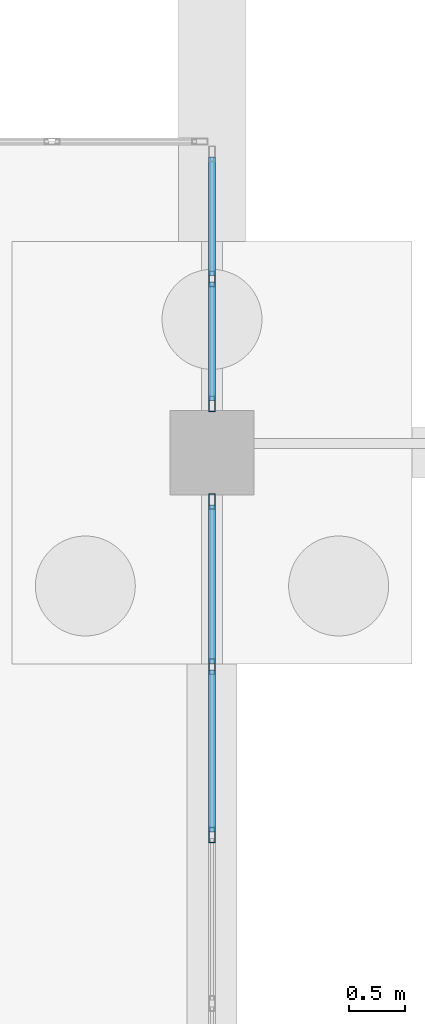
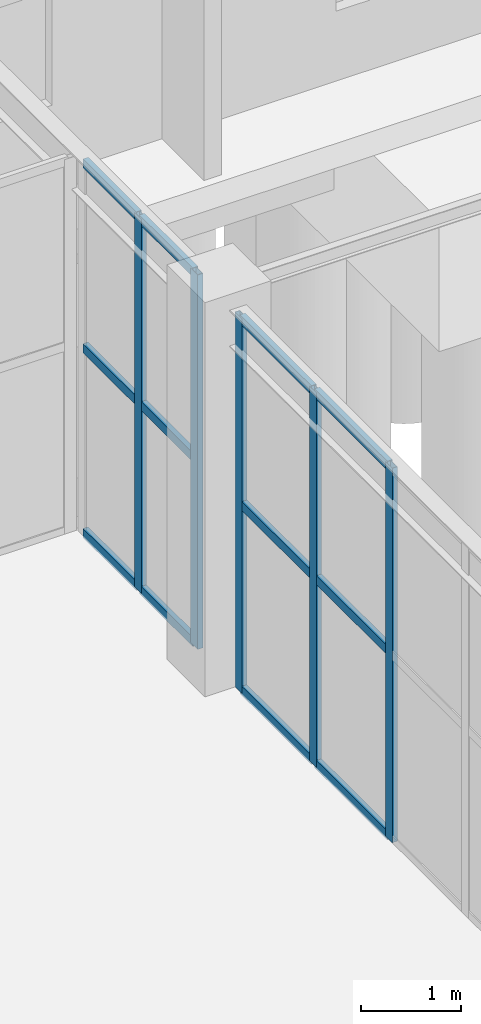
# One storey, part 100 of 192: 17 members, 2 elements without a shape of their own.
"""IFC4 building model written with IfcOpenShell, lengths in metres."""

from ifc_helpers import new_model, si_unit, direction, frame, origin, origin_2d, place, context, subcontext, project, spatial, hollow_rectangle, extrude, material, layer, layer_set, material_profile, profile_set, type_object, element, aggregate, save


model = new_model("IFC4")

# Units and contexts
model_context = context("Model", 3, precision=1e-05, world=origin(), true_north=direction((0.0, 1.0)))
body_context = subcontext(model_context, "Body", "Model", "MODEL_VIEW")
ifc_project = project(units=[si_unit("LENGTHUNIT", "METRE"), si_unit("AREAUNIT", "SQUARE_METRE"), si_unit("VOLUMEUNIT", "CUBIC_METRE"), si_unit("PLANEANGLEUNIT", "RADIAN"), si_unit("MASSUNIT", "GRAM", prefix="KILO")], contexts=[model_context])

# Site, building, storey
site_placement = place(None, origin())
site = spatial("IfcSite", under=ifc_project, at=site_placement, CompositionType="ELEMENT")
building_placement = place(site_placement, origin())
building = spatial("IfcBuilding", under=site, at=building_placement, Name="Trelvath General Hospital", CompositionType="ELEMENT")
storey_placement = place(building_placement, origin())
storey = spatial("IfcBuildingStorey", under=building, at=storey_placement, Name="L00", CompositionType="ELEMENT", Elevation=0.0)

# Curtain wall, members
ifc_material_1 = material(Name="Anodised aluminium and low-E glass", Category="aluminium")
ifc_layer_1 = layer(ifc_material_1, 0.139892578125)
ifc_layer_set_1 = layer_set([ifc_layer_1], Name="Anodised aluminium and low-E glass")
curtain_wall_type_1 = type_object("IfcCurtainWallType", Name="CW CrystalCube 758 456 14", PredefinedType="USERDEFINED", material=ifc_layer_set_1)
curtain_wall_1_placement = place(storey_placement, origin())
curtain_wall_1 = element("IfcCurtainWall", 1, at=curtain_wall_1_placement, inside=storey, type_object=curtain_wall_type_1, Name="Crystal Cube Curtain Wall CUBE-W-T0 E6 L00", ObjectType="Unitised Glazed Curtain Wall", PredefinedType="USERDEFINED")
ifc_material_2 = material(Name="Anodised aluminium", Category="aluminium")
ifc_material_profile_1 = material_profile(ifc_material_2, hollow_rectangle(XDim=0.06005859375, YDim=0.139892578125, WallThickness=0.00390625, at=origin_2d()), Name="RHS60x140x4")
ifc_profile_set_1 = profile_set([ifc_material_profile_1], Name="Anodised aluminium")
member_type_1 = type_object("IfcMemberType", Name="CurtainMullion 60x140", PredefinedType="MULLION", material=ifc_profile_set_1)
member_1_placement = place(storey_placement, frame((75.60009765625, 83.56005859375, 0.0), z_axis=(0.0, 0.0, 1.0), x_axis=(1.0, 0.0, 0.0)))
member_1 = element("IfcMember", 2, at=member_1_placement, type_object=member_type_1, Name="CW-103 mullion 1", PredefinedType="MULLION", context=body_context, shape_type="SweptSolid", body=[
    extrude(hollow_rectangle(XDim=0.06005859375, YDim=0.139892578125, WallThickness=0.00390625, at=origin_2d()), origin(), (0.0, 0.0, 1.0), 4.56005859375),
])
member_2_placement = place(storey_placement, frame((75.60009765625, 82.073974609375, 0.0), z_axis=(0.0, 0.0, 1.0), x_axis=(1.0, 0.0, 0.0)))
member_2 = element("IfcMember", 3, at=member_2_placement, type_object=member_type_1, Name="CW-103 mullion 2", PredefinedType="MULLION", context=body_context, shape_type="SweptSolid", body=[
    extrude(hollow_rectangle(XDim=0.06005859375, YDim=0.139892578125, WallThickness=0.00390625, at=origin_2d()), origin(), (0.0, 0.0, 1.0), 4.56005859375),
])
member_3_placement = place(storey_placement, frame((75.60009765625, 80.55810546875, 0.0), z_axis=(0.0, 0.0, 1.0), x_axis=(1.0, 0.0, 0.0)))
member_3 = element("IfcMember", 4, at=member_3_placement, type_object=member_type_1, Name="CW-103 mullion 3", PredefinedType="MULLION", context=body_context, shape_type="SweptSolid", body=[
    extrude(hollow_rectangle(XDim=0.06005859375, YDim=0.139892578125, WallThickness=0.00390625, at=origin_2d()), origin(), (0.0, 0.0, 1.0), 4.56005859375),
])

ifc_material_3 = material(Name="Anodised aluminium and low-E glass", Category="aluminium")
ifc_layer_2 = layer(ifc_material_3, 0.139892578125)
ifc_layer_set_2 = layer_set([ifc_layer_2], Name="Anodised aluminium and low-E glass")
curtain_wall_type_2 = type_object("IfcCurtainWallType", Name="CW CrystalCube 231 456 14", PredefinedType="USERDEFINED", material=ifc_layer_set_2)
curtain_wall_2_placement = place(storey_placement, origin())
curtain_wall_2 = element("IfcCurtainWall", 5, at=curtain_wall_2_placement, inside=storey, type_object=curtain_wall_type_2, Name="Crystal Cube Curtain Wall CUBE-W-T0 E7 L00", ObjectType="Unitised Glazed Curtain Wall", PredefinedType="USERDEFINED")
member_4_placement = place(storey_placement, frame((75.60009765625, 85.56494140625, 0.0), z_axis=(0.0, 0.0, 1.0), x_axis=(1.0, 0.0, 0.0)))
member_4 = element("IfcMember", 6, at=member_4_placement, type_object=member_type_1, Name="CW-105 mullion 2", PredefinedType="MULLION", context=body_context, shape_type="SweptSolid", body=[
    extrude(hollow_rectangle(XDim=0.06005859375, YDim=0.139892578125, WallThickness=0.00390625, at=origin_2d()), origin(), (0.0, 0.0, 1.0), 4.56005859375),
])
member_5_placement = place(storey_placement, frame((75.60009765625, 84.43994140625, 0.0), z_axis=(0.0, 0.0, 1.0), x_axis=(1.0, 0.0, 0.0)))
member_5 = element("IfcMember", 7, at=member_5_placement, type_object=member_type_1, Name="CW-105 mullion 3", PredefinedType="MULLION", context=body_context, shape_type="SweptSolid", body=[
    extrude(hollow_rectangle(XDim=0.06005859375, YDim=0.139892578125, WallThickness=0.00390625, at=origin_2d()), origin(), (0.0, 0.0, 1.0), 4.56005859375),
])

# Member
ifc_material_4 = material(Name="Anodised aluminium", Category="aluminium")
ifc_material_profile_2 = material_profile(ifc_material_4, hollow_rectangle(XDim=0.06005859375, YDim=0.110107421875, WallThickness=0.00390625, at=origin_2d()), Name="RHS60x110x4")
ifc_profile_set_2 = profile_set([ifc_material_profile_2], Name="Anodised aluminium")
member_type_2 = type_object("IfcMemberType", Name="CurtainTransom 60x110", PredefinedType="USERDEFINED", material=ifc_profile_set_2)
member_6_placement = place(storey_placement, frame((75.60009765625, 83.530029296875, 0.030029296875), z_axis=(0.0, -1.0, 0.0), x_axis=(1.0, 0.0, 0.0)))
member_6 = element("IfcMember", 8, at=member_6_placement, type_object=member_type_2, Name="CW-103 transom 1.1", ObjectType="TRANSOM", PredefinedType="USERDEFINED", context=body_context, shape_type="SweptSolid", body=[
    extrude(hollow_rectangle(XDim=0.06005859375, YDim=0.110107421875, WallThickness=0.00390625, at=origin_2d()), origin(), (0.0, 0.0, 1.0), 1.426025390625),
])

member_7_placement = place(storey_placement, frame((75.60009765625, 83.530029296875, 2.280029296875), z_axis=(0.0, -1.0, 0.0), x_axis=(1.0, 0.0, 0.0)))
member_7 = element("IfcMember", 9, at=member_7_placement, type_object=member_type_2, Name="CW-103 transom 1.2", ObjectType="TRANSOM", PredefinedType="USERDEFINED", context=body_context, shape_type="SweptSolid", body=[
    extrude(hollow_rectangle(XDim=0.06005859375, YDim=0.110107421875, WallThickness=0.00390625, at=origin_2d()), origin(), (0.0, 0.0, 1.0), 1.426025390625),
])

member_8_placement = place(storey_placement, frame((75.60009765625, 83.530029296875, 4.530029296875), z_axis=(0.0, -1.0, 0.0), x_axis=(1.0, 0.0, 0.0)))
member_8 = element("IfcMember", 10, at=member_8_placement, type_object=member_type_2, Name="CW-103 transom 1.3", ObjectType="TRANSOM", PredefinedType="USERDEFINED", context=body_context, shape_type="SweptSolid", body=[
    extrude(hollow_rectangle(XDim=0.06005859375, YDim=0.110107421875, WallThickness=0.00390625, at=origin_2d()), origin(), (0.0, 0.0, 1.0), 1.426025390625),
])

member_9_placement = place(storey_placement, frame((75.60009765625, 82.0439453125, 0.030029296875), z_axis=(0.0, -1.0, 0.0), x_axis=(1.0, 0.0, 0.0)))
member_9 = element("IfcMember", 11, at=member_9_placement, type_object=member_type_2, Name="CW-103 transom 2.1", ObjectType="TRANSOM", PredefinedType="USERDEFINED", context=body_context, shape_type="SweptSolid", body=[
    extrude(hollow_rectangle(XDim=0.06005859375, YDim=0.110107421875, WallThickness=0.00390625, at=origin_2d()), origin(), (0.0, 0.0, 1.0), 1.4560546875),
])

member_10_placement = place(storey_placement, frame((75.60009765625, 82.0439453125, 2.280029296875), z_axis=(0.0, -1.0, 0.0), x_axis=(1.0, 0.0, 0.0)))
member_10 = element("IfcMember", 12, at=member_10_placement, type_object=member_type_2, Name="CW-103 transom 2.2", ObjectType="TRANSOM", PredefinedType="USERDEFINED", context=body_context, shape_type="SweptSolid", body=[
    extrude(hollow_rectangle(XDim=0.06005859375, YDim=0.110107421875, WallThickness=0.00390625, at=origin_2d()), origin(), (0.0, 0.0, 1.0), 1.4560546875),
])

member_11_placement = place(storey_placement, frame((75.60009765625, 82.0439453125, 4.530029296875), z_axis=(0.0, -1.0, 0.0), x_axis=(1.0, 0.0, 0.0)))
member_11 = element("IfcMember", 13, at=member_11_placement, type_object=member_type_2, Name="CW-103 transom 2.3", ObjectType="TRANSOM", PredefinedType="USERDEFINED", context=body_context, shape_type="SweptSolid", body=[
    extrude(hollow_rectangle(XDim=0.06005859375, YDim=0.110107421875, WallThickness=0.00390625, at=origin_2d()), origin(), (0.0, 0.0, 1.0), 1.4560546875),
])

aggregate(curtain_wall_1, [member_1, member_2, member_3, member_6, member_7, member_8, member_9, member_10, member_11])

member_12_placement = place(storey_placement, frame((75.60009765625, 86.659912109375, 0.030029296875), z_axis=(0.0, -1.0, 0.0), x_axis=(1.0, 0.0, 0.0)))
member_12 = element("IfcMember", 14, at=member_12_placement, type_object=member_type_2, Name="CW-105 transom 1.1", ObjectType="TRANSOM", PredefinedType="USERDEFINED", context=body_context, shape_type="SweptSolid", body=[
    extrude(hollow_rectangle(XDim=0.06005859375, YDim=0.110107421875, WallThickness=0.00390625, at=origin_2d()), origin(), (0.0, 0.0, 1.0), 1.06494140625),
])

member_13_placement = place(storey_placement, frame((75.60009765625, 86.659912109375, 2.280029296875), z_axis=(0.0, -1.0, 0.0), x_axis=(1.0, 0.0, 0.0)))
member_13 = element("IfcMember", 15, at=member_13_placement, type_object=member_type_2, Name="CW-105 transom 1.2", ObjectType="TRANSOM", PredefinedType="USERDEFINED", context=body_context, shape_type="SweptSolid", body=[
    extrude(hollow_rectangle(XDim=0.06005859375, YDim=0.110107421875, WallThickness=0.00390625, at=origin_2d()), origin(), (0.0, 0.0, 1.0), 1.06494140625),
])

member_14_placement = place(storey_placement, frame((75.60009765625, 86.659912109375, 4.530029296875), z_axis=(0.0, -1.0, 0.0), x_axis=(1.0, 0.0, 0.0)))
member_14 = element("IfcMember", 16, at=member_14_placement, type_object=member_type_2, Name="CW-105 transom 1.3", ObjectType="TRANSOM", PredefinedType="USERDEFINED", context=body_context, shape_type="SweptSolid", body=[
    extrude(hollow_rectangle(XDim=0.06005859375, YDim=0.110107421875, WallThickness=0.00390625, at=origin_2d()), origin(), (0.0, 0.0, 1.0), 1.06494140625),
])

member_15_placement = place(storey_placement, frame((75.60009765625, 85.534912109375, 0.030029296875), z_axis=(0.0, -1.0, 0.0), x_axis=(1.0, 0.0, 0.0)))
member_15 = element("IfcMember", 17, at=member_15_placement, type_object=member_type_2, Name="CW-105 transom 2.1", ObjectType="TRANSOM", PredefinedType="USERDEFINED", context=body_context, shape_type="SweptSolid", body=[
    extrude(hollow_rectangle(XDim=0.06005859375, YDim=0.110107421875, WallThickness=0.00390625, at=origin_2d()), origin(), (0.0, 0.0, 1.0), 1.06494140625),
])

member_16_placement = place(storey_placement, frame((75.60009765625, 85.534912109375, 2.280029296875), z_axis=(0.0, -1.0, 0.0), x_axis=(1.0, 0.0, 0.0)))
member_16 = element("IfcMember", 18, at=member_16_placement, type_object=member_type_2, Name="CW-105 transom 2.2", ObjectType="TRANSOM", PredefinedType="USERDEFINED", context=body_context, shape_type="SweptSolid", body=[
    extrude(hollow_rectangle(XDim=0.06005859375, YDim=0.110107421875, WallThickness=0.00390625, at=origin_2d()), origin(), (0.0, 0.0, 1.0), 1.06494140625),
])

member_17_placement = place(storey_placement, frame((75.60009765625, 85.534912109375, 4.530029296875), z_axis=(0.0, -1.0, 0.0), x_axis=(1.0, 0.0, 0.0)))
member_17 = element("IfcMember", 19, at=member_17_placement, type_object=member_type_2, Name="CW-105 transom 2.3", ObjectType="TRANSOM", PredefinedType="USERDEFINED", context=body_context, shape_type="SweptSolid", body=[
    extrude(hollow_rectangle(XDim=0.06005859375, YDim=0.110107421875, WallThickness=0.00390625, at=origin_2d()), origin(), (0.0, 0.0, 1.0), 1.06494140625),
])

aggregate(curtain_wall_2, [member_4, member_5, member_12, member_13, member_14, member_15, member_16, member_17])

save(model, "model.ifc")
